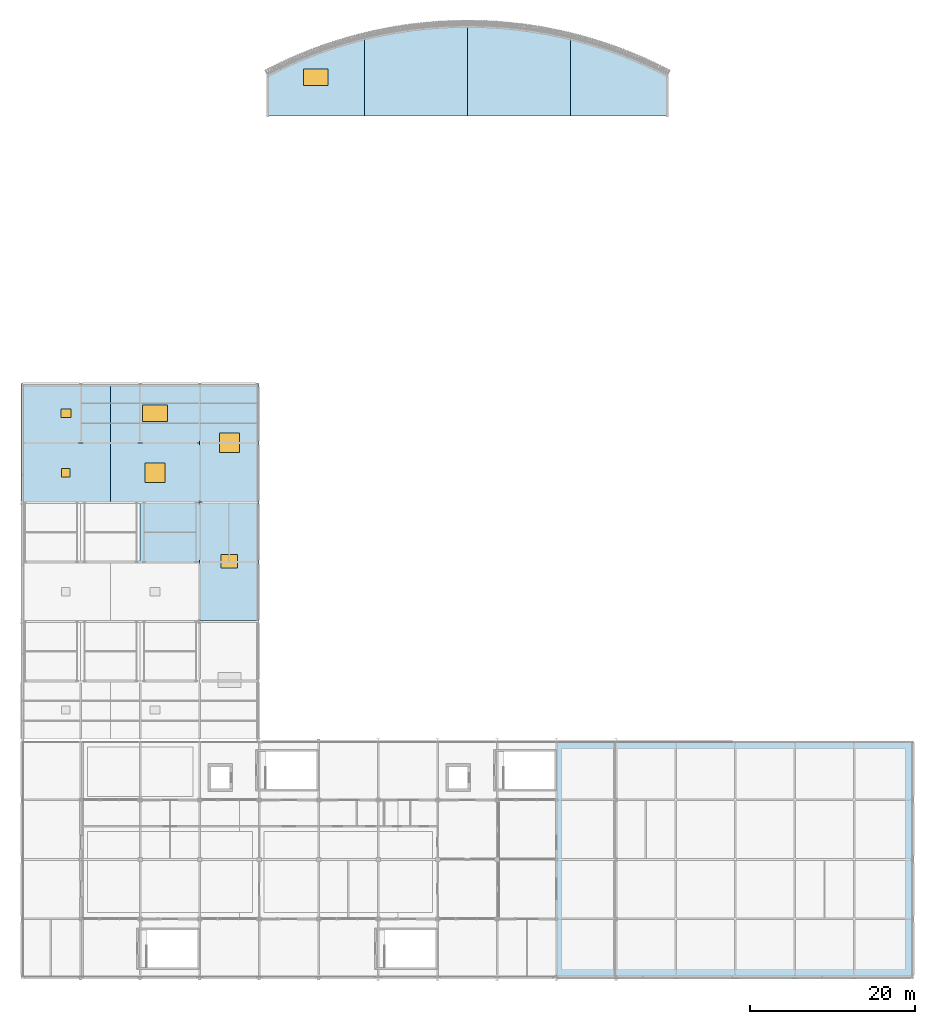
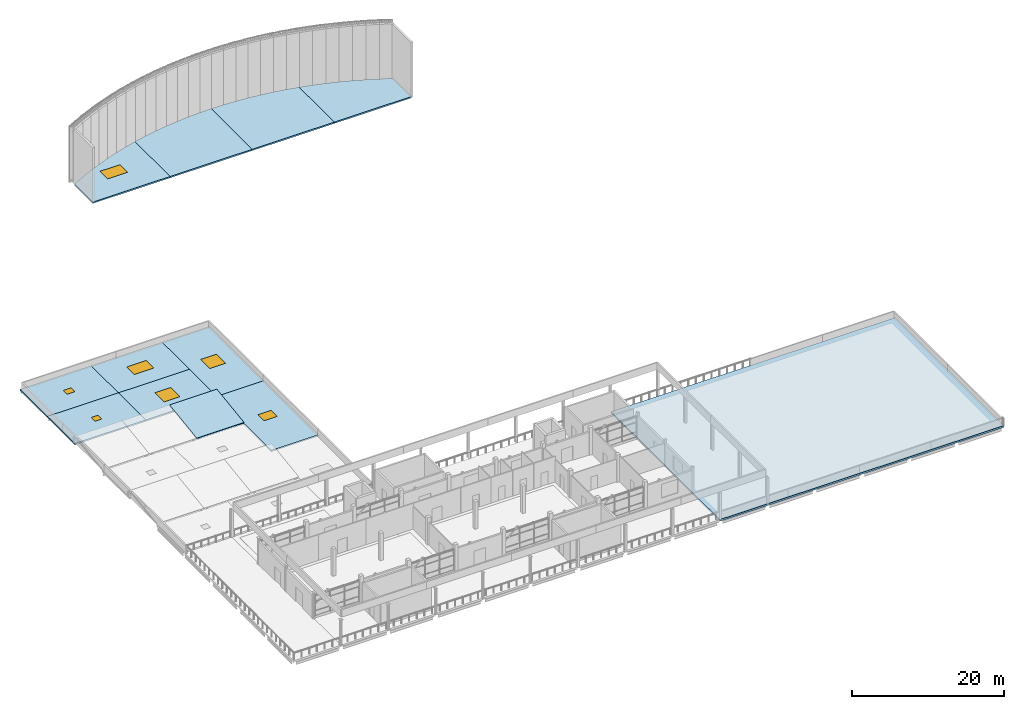
# One storey, part 17 of 32: 12 slabs, 5 windows, 2 doors, 7 openings.
"""IFC4 building model written with IfcOpenShell, lengths in metres."""

from ifc_helpers import new_model, si_unit, direction, frame, origin, origin_2d, place, context, subcontext, project, spatial, polyline, rectangle, outline, extrude, material, layer, layer_set, type_object, element, fill, save


model = new_model("IFC4")

# Units and contexts
model_context = context("Model", 3, precision=1e-05, world=origin(), true_north=direction((0.0, 1.0)))
body_context = subcontext(model_context, "Body", "Model", "MODEL_VIEW")
ifc_project = project(units=[si_unit("LENGTHUNIT", "METRE"), si_unit("AREAUNIT", "SQUARE_METRE"), si_unit("VOLUMEUNIT", "CUBIC_METRE"), si_unit("PLANEANGLEUNIT", "RADIAN"), si_unit("MASSUNIT", "GRAM", prefix="KILO")], contexts=[model_context])

# Site, building, storey
site_placement = place(None, origin())
site = spatial("IfcSite", under=ifc_project, at=site_placement, CompositionType="ELEMENT")
building_placement = place(site_placement, origin())
building = spatial("IfcBuilding", under=site, at=building_placement, Name="Sardonyx Promenade Sports Hall", CompositionType="ELEMENT")
storey_placement = place(building_placement, frame((0.0, 0.0, 20.39990234375)))
storey = spatial("IfcBuildingStorey", under=building, at=storey_placement, Name="L04", CompositionType="ELEMENT", Elevation=20.39990234375)

# Slab
ifc_material_1 = material(Name="Concrete C40/50", Category="concrete")
ifc_layer_1 = layer(ifc_material_1, 0.260009765625)
ifc_layer_set_1 = layer_set([ifc_layer_1], Name="Slab_Ext_Track_260")
slab_type_1 = type_object("IfcSlabType", Name="Slab_Ext_Track_260", PredefinedType="FLOOR", material=ifc_layer_set_1)
slab_1_placement = place(storey_placement, frame((0.0, 0.0, -0.260009765625)))
element("IfcSlab", 1, at=slab_1_placement, inside=storey, type_object=slab_type_1, Name="Rooftop running track east bend L04", PredefinedType="FLOOR", context=body_context, shape_type="SweptSolid", body=[
    extrude(outline(polyline([(64.800048828125, 0.0), (108.0, 0.0), (108.0, 28.64990234375), (64.800048828125, 28.64990234375), (64.800048828125, 0.0)])), origin(), (0.0, 0.0, 1.0), 0.260009765625),
])

# Slab, opening, door
ifc_material_2 = material(Name="Concrete C40/50", Category="concrete")
ifc_layer_2 = layer(ifc_material_2, 0.22998046875)
ifc_layer_set_2 = layer_set([ifc_layer_2], Name="Slab_Roof_Flat_230")
slab_type_2 = type_object("IfcSlabType", Name="Slab_Roof_Flat_230", PredefinedType="ROOF", material=ifc_layer_set_2)
slab_2_placement = place(storey_placement, frame((0.0, 0.0, -0.22998046875)))
slab_2 = element("IfcSlab", 2, at=slab_2_placement, inside=storey, type_object=slab_type_2, Name="Slab RS02 L04 #217", PredefinedType="ROOF", context=body_context, shape_type="SweptSolid", body=[
    extrude(outline(polyline([(0.0, 57.60009765625), (10.800048828125, 57.60009765625), (10.800048828125, 64.800048828125), (0.0, 64.800048828125), (0.0, 57.60009765625)])), origin(), (0.0, 0.0, 1.0), 0.232177734375),
])
opening_1_placement = place(slab_2_placement, frame((5.39990234375, 61.199951171875, 0.0)))
opening_1 = element("IfcOpeningElement", 3, at=opening_1_placement, cuts=slab_2, Name="Opening ED10", PredefinedType="OPENING", context=body_context, shape_type="SweptSolid", body=[
    extrude(rectangle(XDim=1.0, YDim=1.0, at=origin_2d()), origin(), (0.0, 0.0, 1.0), 0.232177734375),
])
ifc_material_3 = material(Name="Thermally broken anodised aluminium glazed door", Category="aluminium")
door_type_1 = type_object("IfcDoorType", Name="Door_RoofHatch_100x100", OperationType="NOTDEFINED", PredefinedType="TRAPDOOR", material=ifc_material_3)
door_1_placement = place(opening_1_placement, frame((0.0, 0.0, 0.18212890625)))
door_1 = element("IfcDoor", 4, at=door_1_placement, inside=storey, type_object=door_type_1, Name="Roof access hatch RH05", OperationType="SINGLE_SWING_LEFT", OverallHeight=1.0, OverallWidth=1.0, PredefinedType="TRAPDOOR", context=body_context, shape_type="SweptSolid", body=[
    extrude(rectangle(XDim=1.0, YDim=1.0, at=origin_2d()), origin(), (0.0, 0.0, 1.0), 0.050048828125),
])
fill(opening_1, door_1)

slab_3_placement = place(storey_placement, frame((0.0, 0.0, -0.22998046875)))
slab_3 = element("IfcSlab", 5, at=slab_3_placement, inside=storey, type_object=slab_type_2, Name="Slab RS02 L04 #218", PredefinedType="ROOF", context=body_context, shape_type="SweptSolid", body=[
    extrude(outline(polyline([(0.0, 64.800048828125), (10.800048828125, 64.800048828125), (10.800048828125, 72.0), (0.0, 72.0), (0.0, 64.800048828125)])), origin(), (0.0, 0.0, 1.0), 0.232177734375),
])
opening_2_placement = place(slab_3_placement, frame((5.39990234375, 68.39990234375, 0.0)))
opening_2 = element("IfcOpeningElement", 6, at=opening_2_placement, cuts=slab_3, Name="Opening ED09", PredefinedType="OPENING", context=body_context, shape_type="SweptSolid", body=[
    extrude(rectangle(XDim=1.199951171875, YDim=1.0, at=origin_2d()), origin(), (0.0, 0.0, 1.0), 0.232177734375),
])
ifc_material_4 = material(Name="Thermally broken anodised aluminium glazed door", Category="aluminium")
door_type_2 = type_object("IfcDoorType", Name="Door_RoofHatch_120x100", OperationType="NOTDEFINED", PredefinedType="TRAPDOOR", material=ifc_material_4)
door_2_placement = place(opening_2_placement, frame((0.0, 0.0, 0.18212890625)))
door_2 = element("IfcDoor", 7, at=door_2_placement, inside=storey, type_object=door_type_2, Name="Roof access hatch RH06", OperationType="SINGLE_SWING_LEFT", OverallHeight=1.0, OverallWidth=1.199951171875, PredefinedType="TRAPDOOR", context=body_context, shape_type="SweptSolid", body=[
    extrude(rectangle(XDim=1.199951171875, YDim=1.0, at=origin_2d()), origin(), (0.0, 0.0, 1.0), 0.050048828125),
])
fill(opening_2, door_2)

# Slab, opening, window
slab_4_placement = place(storey_placement, frame((0.0, 0.0, -0.22998046875)))
slab_4 = element("IfcSlab", 8, at=slab_4_placement, inside=storey, type_object=slab_type_2, Name="Slab RS02 L04 #219", PredefinedType="ROOF", context=body_context, shape_type="SweptSolid", body=[
    extrude(outline(polyline([(10.800048828125, 57.60009765625), (21.60009765625, 57.60009765625), (21.60009765625, 64.800048828125), (10.800048828125, 64.800048828125), (10.800048828125, 57.60009765625)])), origin(), (0.0, 0.0, 1.0), 0.22998046875),
])
opening_3_placement = place(slab_4_placement, frame((16.199951171875, 61.199951171875, 0.0)))
opening_3 = element("IfcOpeningElement", 9, at=opening_3_placement, cuts=slab_4, Name="Opening W03", PredefinedType="OPENING", context=body_context, shape_type="SweptSolid", body=[
    extrude(rectangle(XDim=2.39990234375, YDim=2.39990234375, at=origin_2d()), origin(), (0.0, 0.0, 1.0), 0.22998046875),
])
ifc_material_5 = material(Name="Double-glazed solar low-E aluminium window", Category="aluminium")
window_type_1 = type_object("IfcWindowType", Name="Sky_Foyer_240x240", PartitioningType="DOUBLE_PANEL_VERTICAL", PredefinedType="SKYLIGHT", material=ifc_material_5)
window_1_placement = place(opening_3_placement, frame((0.0, 0.0, 0.179931640625)))
window_1 = element("IfcWindow", 10, at=window_1_placement, inside=storey, type_object=window_type_1, Name="Modular skylight W03 #13", OverallHeight=2.39990234375, OverallWidth=2.39990234375, PartitioningType="SINGLE_PANEL", PredefinedType="SKYLIGHT", context=body_context, shape_type="SweptSolid", body=[
    extrude(rectangle(XDim=2.39990234375, YDim=2.39990234375, at=origin_2d()), origin(), (0.0, 0.0, 1.0), 0.050048828125),
])
fill(opening_3, window_1)

slab_5_placement = place(storey_placement, frame((0.0, 0.0, -0.22998046875)))
slab_5 = element("IfcSlab", 11, at=slab_5_placement, inside=storey, type_object=slab_type_2, Name="Slab RS02 L04 #220", PredefinedType="ROOF", context=body_context, shape_type="SweptSolid", body=[
    extrude(outline(polyline([(10.800048828125, 64.800048828125), (21.60009765625, 64.800048828125), (21.60009765625, 72.0), (10.800048828125, 72.0), (10.800048828125, 64.800048828125)])), origin(), (0.0, 0.0, 1.0), 0.22998046875),
])
opening_4_placement = place(slab_5_placement, frame((16.199951171875, 68.39990234375, 0.0)))
opening_4 = element("IfcOpeningElement", 12, at=opening_4_placement, cuts=slab_5, Name="Opening W19", PredefinedType="OPENING", context=body_context, shape_type="SweptSolid", body=[
    extrude(rectangle(XDim=3.0, YDim=2.0, at=origin_2d()), origin(), (0.0, 0.0, 1.0), 0.22998046875),
])
ifc_material_6 = material(Name="Double-glazed solar low-E aluminium window", Category="aluminium")
window_type_2 = type_object("IfcWindowType", Name="Sky_Foyer_300x200", PartitioningType="DOUBLE_PANEL_VERTICAL", PredefinedType="SKYLIGHT", material=ifc_material_6)
window_2_placement = place(opening_4_placement, frame((0.0, 0.0, 0.179931640625)))
window_2 = element("IfcWindow", 13, at=window_2_placement, inside=storey, type_object=window_type_2, Name="Modular skylight W19 #14", OverallHeight=2.0, OverallWidth=3.0, PartitioningType="SINGLE_PANEL", PredefinedType="SKYLIGHT", context=body_context, shape_type="SweptSolid", body=[
    extrude(rectangle(XDim=3.0, YDim=2.0, at=origin_2d()), origin(), (0.0, 0.0, 1.0), 0.050048828125),
])
fill(opening_4, window_2)

slab_6_placement = place(storey_placement, frame((0.0, 0.0, -0.22998046875)))
slab_6 = element("IfcSlab", 14, at=slab_6_placement, inside=storey, type_object=slab_type_2, Name="Slab RS02 L04 #222", PredefinedType="ROOF", context=body_context, shape_type="SweptSolid", body=[
    extrude(outline(polyline([(21.60009765625, 43.300048828125), (28.800048828125, 43.300048828125), (28.800048828125, 57.64990234375), (21.60009765625, 57.64990234375), (21.60009765625, 43.300048828125)])), origin(), (0.0, 0.0, 1.0), 0.22998046875),
])
opening_5_placement = place(slab_6_placement, frame((25.199951171875, 50.47509765625, 0.0)))
opening_5 = element("IfcOpeningElement", 15, at=opening_5_placement, cuts=slab_6, Name="Opening W12", PredefinedType="OPENING", context=body_context, shape_type="SweptSolid", body=[
    extrude(rectangle(XDim=2.0, YDim=1.60009765625, at=origin_2d()), origin(), (0.0, 0.0, 1.0), 0.22998046875),
])
ifc_material_7 = material(Name="Double-glazed solar low-E aluminium window", Category="aluminium")
window_type_3 = type_object("IfcWindowType", Name="Sky_Studio_200x160", PartitioningType="DOUBLE_PANEL_VERTICAL", PredefinedType="SKYLIGHT", material=ifc_material_7)
window_3_placement = place(opening_5_placement, frame((0.0, 0.0, 0.179931640625)))
window_3 = element("IfcWindow", 16, at=window_3_placement, inside=storey, type_object=window_type_3, Name="Modular skylight W12 #16", OverallHeight=1.60009765625, OverallWidth=2.0, PartitioningType="SINGLE_PANEL", PredefinedType="SKYLIGHT", context=body_context, shape_type="SweptSolid", body=[
    extrude(rectangle(XDim=2.0, YDim=1.60009765625, at=origin_2d()), origin(), (0.0, 0.0, 1.0), 0.050048828125),
])
fill(opening_5, window_3)

slab_7_placement = place(storey_placement, frame((0.0, 0.0, -0.22998046875)))
slab_7 = element("IfcSlab", 17, at=slab_7_placement, inside=storey, type_object=slab_type_2, Name="Slab RS02 L04 #223", PredefinedType="ROOF", context=body_context, shape_type="SweptSolid", body=[
    extrude(outline(polyline([(21.60009765625, 57.64990234375), (28.800048828125, 57.64990234375), (28.800048828125, 72.0), (21.60009765625, 72.0), (21.60009765625, 57.64990234375)])), origin(), (0.0, 0.0, 1.0), 0.22998046875),
])
opening_6_placement = place(slab_7_placement, frame((25.199951171875, 64.824951171875, 0.0)))
opening_6 = element("IfcOpeningElement", 18, at=opening_6_placement, cuts=slab_7, Name="Opening W03", PredefinedType="OPENING", context=body_context, shape_type="SweptSolid", body=[
    extrude(rectangle(XDim=2.39990234375, YDim=2.39990234375, at=origin_2d()), origin(), (0.0, 0.0, 1.0), 0.22998046875),
])
window_4_placement = place(opening_6_placement, frame((0.0, 0.0, 0.179931640625)))
window_4 = element("IfcWindow", 19, at=window_4_placement, inside=storey, type_object=window_type_1, Name="Modular skylight W03 #17", OverallHeight=2.39990234375, OverallWidth=2.39990234375, PartitioningType="SINGLE_PANEL", PredefinedType="SKYLIGHT", context=body_context, shape_type="SweptSolid", body=[
    extrude(rectangle(XDim=2.39990234375, YDim=2.39990234375, at=origin_2d()), origin(), (0.0, 0.0, 1.0), 0.050048828125),
])
fill(opening_6, window_4)

slab_8_placement = place(storey_placement, frame((0.0, 0.0, -0.22998046875)))
slab_8 = element("IfcSlab", 20, at=slab_8_placement, inside=storey, type_object=slab_type_2, Name="Bowed gallery roof slab 1", PredefinedType="ROOF", context=body_context, shape_type="SweptSolid", body=[
    extrude(outline(polyline([(29.773681640625, 104.39990234375), (41.522216796875, 104.39990234375), (41.522216796875, 113.6806640625), (39.78271484375, 113.21875), (38.06005859375, 112.696533203125), (36.3564453125, 112.115234375), (34.674072265625, 111.475341796875), (33.014892578125, 110.777587890625), (31.380859375, 110.022705078125), (29.773681640625, 109.2119140625), (29.773681640625, 104.39990234375)])), origin(), (0.0, 0.0, 1.0), 0.22998046875),
])
opening_7_placement = place(slab_8_placement, frame((35.64794921875, 109.040283203125, 0.0)))
opening_7 = element("IfcOpeningElement", 21, at=opening_7_placement, cuts=slab_8, Name="Opening W19", PredefinedType="OPENING", context=body_context, shape_type="SweptSolid", body=[
    extrude(rectangle(XDim=3.0, YDim=2.0, at=origin_2d()), origin(), (0.0, 0.0, 1.0), 0.22998046875),
])
window_5_placement = place(opening_7_placement, frame((0.0, 0.0, 0.179931640625)))
window_5 = element("IfcWindow", 22, at=window_5_placement, inside=storey, type_object=window_type_2, Name="Modular skylight W19 #18", OverallHeight=2.0, OverallWidth=3.0, PartitioningType="SINGLE_PANEL", PredefinedType="SKYLIGHT", context=body_context, shape_type="SweptSolid", body=[
    extrude(rectangle(XDim=3.0, YDim=2.0, at=origin_2d()), origin(), (0.0, 0.0, 1.0), 0.050048828125),
])
fill(opening_7, window_5)

# Slabs
slab_9_placement = place(storey_placement, frame((0.0, 0.0, -0.22998046875)))
element("IfcSlab", 23, at=slab_9_placement, inside=storey, type_object=slab_type_2, Name="Bowed gallery roof slab 2", PredefinedType="ROOF", context=body_context, shape_type="SweptSolid", body=[
    extrude(outline(polyline([(41.522216796875, 104.39990234375), (54.0, 104.39990234375), (54.0, 115.199951171875), (52.2001953125, 115.1689453125), (50.402587890625, 115.075439453125), (48.609375, 114.919921875), (46.822509765625, 114.702392578125), (45.04443359375, 114.423095703125), (43.27685546875, 114.082275390625), (41.522216796875, 113.6806640625), (41.522216796875, 104.39990234375)])), origin(), (0.0, 0.0, 1.0), 0.22998046875),
])
slab_10_placement = place(storey_placement, frame((0.0, 0.0, -0.22998046875)))
element("IfcSlab", 24, at=slab_10_placement, inside=storey, type_object=slab_type_2, Name="Bowed gallery roof slab 3", PredefinedType="ROOF", context=body_context, shape_type="SweptSolid", body=[
    extrude(outline(polyline([(54.0, 104.39990234375), (66.477783203125, 104.39990234375), (66.477783203125, 113.6806640625), (64.72314453125, 114.082275390625), (62.95556640625, 114.423095703125), (61.177490234375, 114.702392578125), (59.390625, 114.919921875), (57.597412109375, 115.075439453125), (55.7998046875, 115.1689453125), (54.0, 115.199951171875), (54.0, 104.39990234375)])), origin(), (0.0, 0.0, 1.0), 0.22998046875),
])
slab_11_placement = place(storey_placement, frame((0.0, 0.0, -0.22998046875)))
element("IfcSlab", 25, at=slab_11_placement, inside=storey, type_object=slab_type_2, Name="Bowed gallery roof slab 4", PredefinedType="ROOF", context=body_context, shape_type="SweptSolid", body=[
    extrude(outline(polyline([(66.477783203125, 104.39990234375), (78.226318359375, 104.39990234375), (78.226318359375, 109.2119140625), (76.619140625, 110.022705078125), (74.985107421875, 110.777587890625), (73.325927734375, 111.475341796875), (71.6435546875, 112.115234375), (69.93994140625, 112.696533203125), (68.21728515625, 113.21875), (66.477783203125, 113.6806640625), (66.477783203125, 104.39990234375)])), origin(), (0.0, 0.0, 1.0), 0.22998046875),
])
ifc_material_8 = material(Name="Concrete C40/50", Category="concrete")
ifc_layer_3 = layer(ifc_material_8, 0.159912109375)
ifc_layer_set_3 = layer_set([ifc_layer_3], Name="Slab_Roof_Sloped_160")
slab_type_3 = type_object("IfcSlabType", Name="Slab_Roof_Sloped_160", PredefinedType="ROOF", material=ifc_layer_set_3)
slab_12_placement = place(storey_placement, frame((14.39990234375, 50.419921875, 0.18017578125), z_axis=(0.0, -0.13990866506, 0.990164413338), x_axis=(1.0, 0.0, 0.0)))
element("IfcSlab", 26, at=slab_12_placement, inside=storey, type_object=slab_type_3, Name="Climbing north-light clerestory hood #6", PredefinedType="ROOF", context=body_context, shape_type="SweptSolid", body=[
    extrude(outline(polyline([(0.0, 0.0), (7.2001953125, 0.0), (7.2001953125, 7.231280132418854), (0.0, 7.231280132418854), (0.0, 0.0)])), origin(), (0.0, 0.0, -1.0), 0.159912109375),
])

save(model, "model.ifc")
